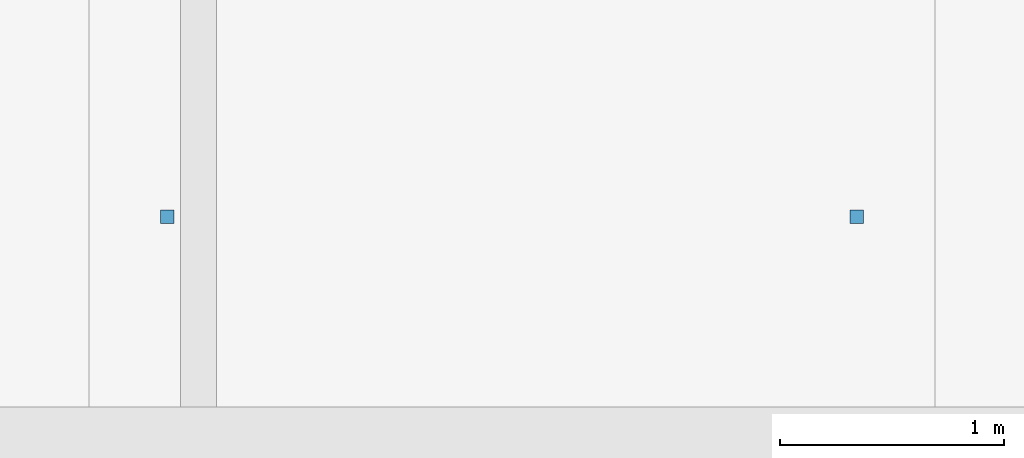
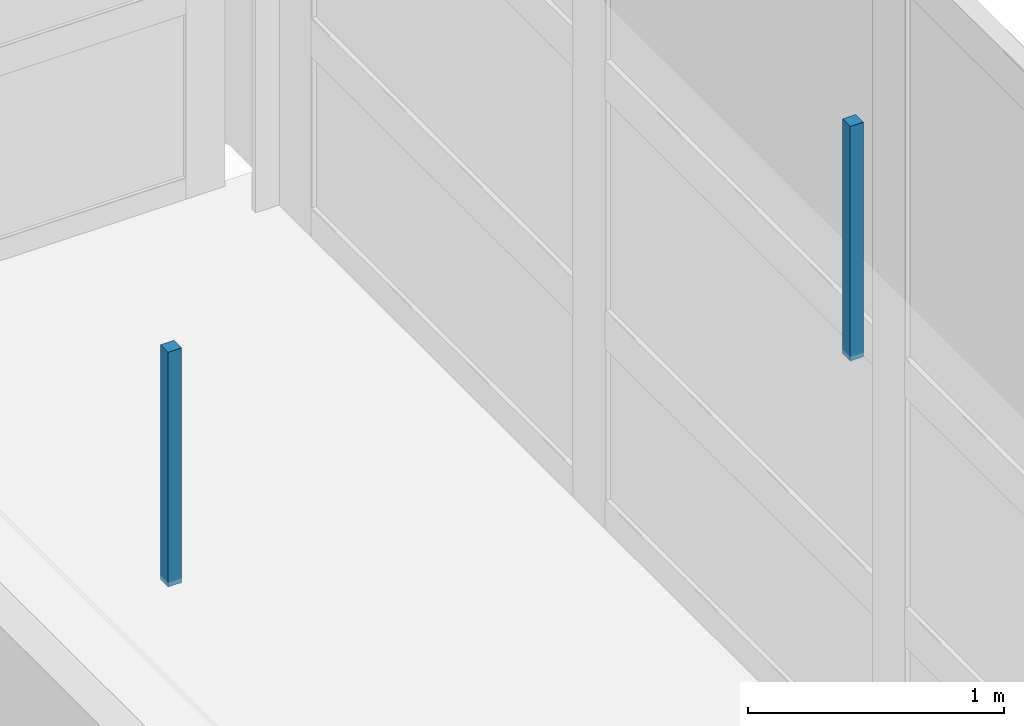
# One storey, part 89 of 107: 2 discrete accessories.
"""IFC4 building model written with IfcOpenShell, lengths in metres."""

from ifc_helpers import new_model, si_unit, direction, frame, origin, origin_2d, place, context, subcontext, project, spatial, rectangle, extrude, material, type_object, element, save


model = new_model("IFC4")

# Units and contexts
model_context = context("Model", 3, precision=1e-05, world=origin(), true_north=direction((0.0, 1.0)))
body_context = subcontext(model_context, "Body", "Model", "MODEL_VIEW")
ifc_project = project(units=[si_unit("LENGTHUNIT", "METRE"), si_unit("AREAUNIT", "SQUARE_METRE"), si_unit("VOLUMEUNIT", "CUBIC_METRE"), si_unit("PLANEANGLEUNIT", "RADIAN"), si_unit("MASSUNIT", "GRAM", prefix="KILO")], contexts=[model_context])

# Site, building, storey
site_placement = place(None, origin())
site = spatial("IfcSite", under=ifc_project, at=site_placement, CompositionType="ELEMENT")
building_placement = place(site_placement, origin())
building = spatial("IfcBuilding", under=site, at=building_placement, Name="Khelvaren Railside Concert Hall", CompositionType="ELEMENT")
storey_placement = place(building_placement, frame((0.0, 0.0, 15.0)))
storey = spatial("IfcBuildingStorey", under=building, at=storey_placement, Name="L03", CompositionType="ELEMENT", Elevation=15.0)

# Discrete accessories
ifc_material = material(Name="Galvanised steel acoustic ceiling hanger rod", Category="steel")
discrete_accessory_type = type_object("IfcDiscreteAccessoryType", Name="BRK62", PredefinedType="BRACKET", material=ifc_material)
for number, where, z_axis, x_axis, name in (
    (1, (179.860107421875, 31.5, 3.429931640625), (0.0, 0.0, 1.0), (1.0, 0.0, 0.0), "Acoustic Ceiling Suspension Bracket 67-1"),
    (2, (182.93994140625, 31.5, 3.429931640625), (0.0, 0.0, 1.0), (1.0, 0.0, 0.0), "Acoustic Ceiling Suspension Bracket 67-2"),
):
    element("IfcDiscreteAccessory", number, at=place(storey_placement, frame(where, z_axis=z_axis, x_axis=x_axis)), inside=storey, type_object=discrete_accessory_type, Name=name, PredefinedType="BRACKET", context=body_context, shape_type="SweptSolid", body=[
        extrude(rectangle(XDim=0.06005859375, YDim=0.06005859375, at=origin_2d()), origin(), (0.0, 0.0, 1.0), 1.1201171875),
    ])

save(model, "model.ifc")
